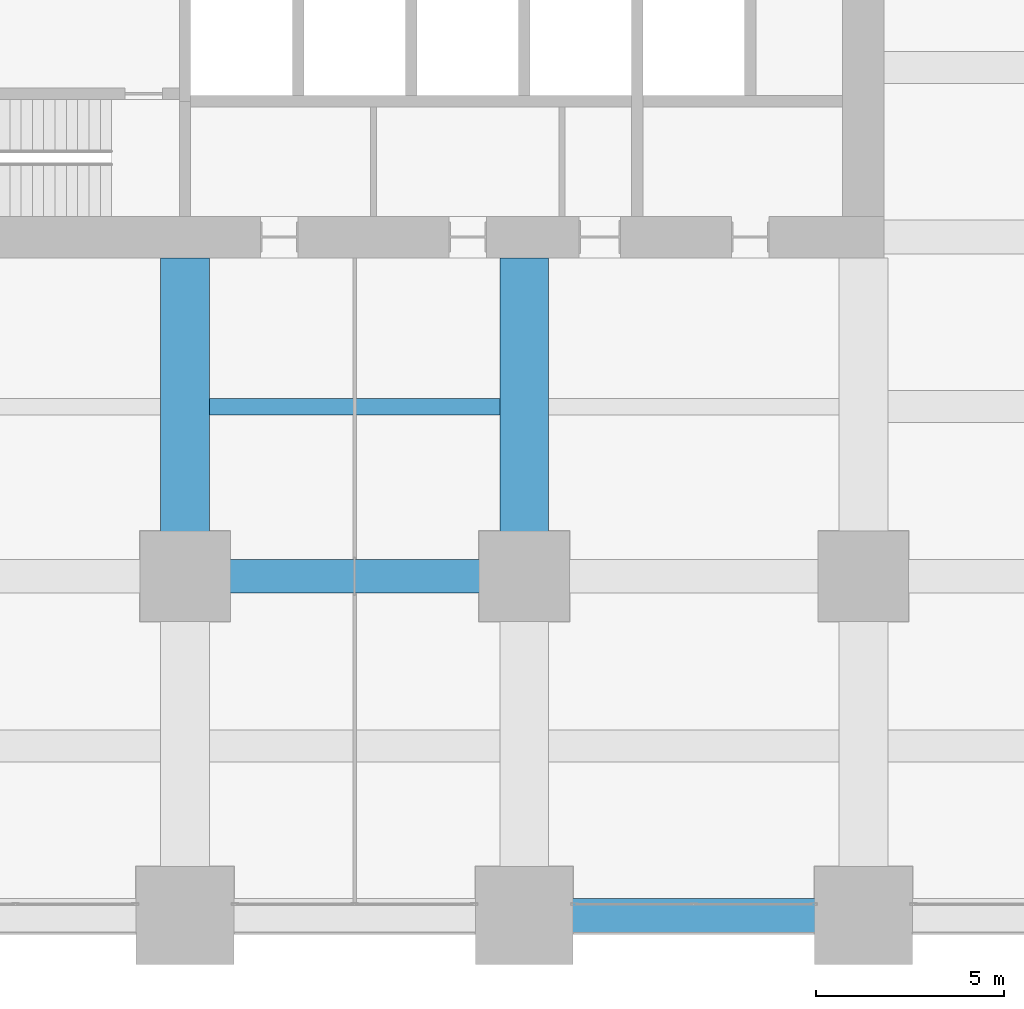
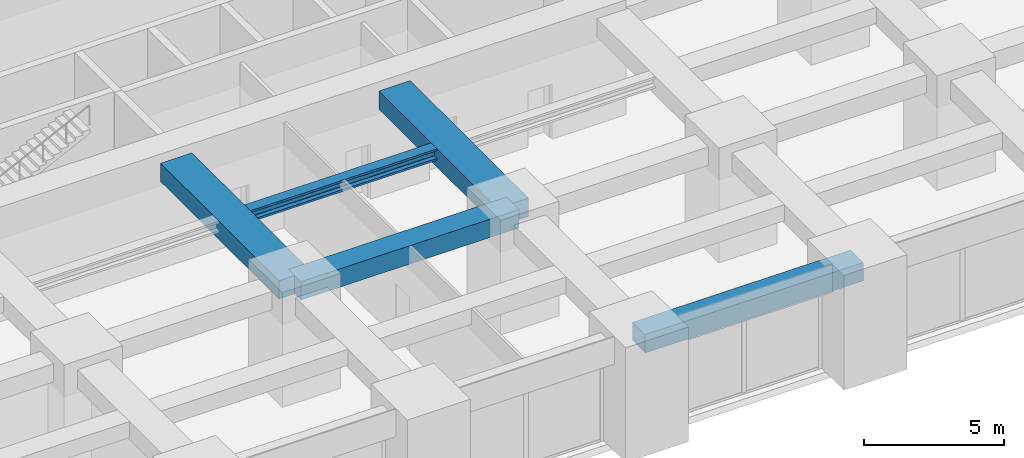
# One storey, part 14 of 46: 5 beams.
"""IFC4 building model written with IfcOpenShell, lengths in metres."""

from ifc_helpers import new_model, si_unit, direction, frame, origin, origin_2d, place, context, subcontext, project, spatial, rectangle, i_section, extrude, material, material_profile, profile_set, type_object, element, save


model = new_model("IFC4")

# Units and contexts
model_context = context("Model", 3, precision=1e-05, world=origin(), true_north=direction((0.0, 1.0)))
body_context = subcontext(model_context, "Body", "Model", "MODEL_VIEW")
ifc_project = project(units=[si_unit("LENGTHUNIT", "METRE"), si_unit("AREAUNIT", "SQUARE_METRE"), si_unit("VOLUMEUNIT", "CUBIC_METRE"), si_unit("PLANEANGLEUNIT", "RADIAN"), si_unit("MASSUNIT", "GRAM", prefix="KILO")], contexts=[model_context])

# Site, building, storey
site_placement = place(None, origin())
site = spatial("IfcSite", under=ifc_project, at=site_placement, CompositionType="ELEMENT")
building_placement = place(site_placement, origin())
building = spatial("IfcBuilding", under=site, at=building_placement, Name="Zorevar Civic Tower", CompositionType="ELEMENT")
storey_placement = place(building_placement, frame((0.0, 0.0, 10.800048828125)))
storey = spatial("IfcBuildingStorey", under=building, at=storey_placement, Name="L02", CompositionType="ELEMENT", Elevation=10.800048828125)

# Beams
ifc_material_1 = material(Name="Concrete C50/60", Category="concrete")
ifc_material_profile_1 = material_profile(ifc_material_1, rectangle(XDim=1.300048828125, YDim=0.800048828125, at=origin_2d()), Name="RC 1300x800")
ifc_profile_set_1 = profile_set([ifc_material_profile_1], Name="Concrete C50/60")
beam_type_1 = type_object("IfcBeamType", Name="Beam RC 1300x800", PredefinedType="BEAM", material=ifc_profile_set_1)
for number, where, z_axis, x_axis, name in (
    (1, (27.0, 9.0, 4.199951171875), (0.0, 1.0, 0.0), (-1.0, 0.0, 0.0), "Girder L03"),
    (2, (36.0, 9.0, 4.199951171875), (0.0, 1.0, 0.0), (-1.0, 0.0, 0.0), "Girder L03"),
):
    element("IfcBeam", number, at=place(storey_placement, frame(where, z_axis=z_axis, x_axis=x_axis)), inside=storey, type_object=beam_type_1, Name=name, PredefinedType="BEAM", context=body_context, shape_type="SweptSolid", body=[
        extrude(rectangle(XDim=1.300048828125, YDim=0.800048828125, at=origin_2d()), origin(), (0.0, 0.0, 1.0), 8.449951171875),
    ])
ifc_material_2 = material(Name="Concrete C50/60", Category="concrete")
ifc_material_profile_2 = material_profile(ifc_material_2, rectangle(XDim=0.89990234375, YDim=0.800048828125, at=origin_2d()), Name="RC 900x800")
ifc_profile_set_2 = profile_set([ifc_material_profile_2], Name="Concrete C50/60")
beam_type_2 = type_object("IfcBeamType", Name="Beam RC 900x800", PredefinedType="BEAM", material=ifc_profile_set_2)
beam_1_placement = place(storey_placement, frame((27.0, 9.0, 4.199951171875), z_axis=(1.0, 0.0, 0.0), x_axis=(0.0, 1.0, 0.0)))
element("IfcBeam", 3, at=beam_1_placement, inside=storey, type_object=beam_type_2, Name="Girder L03", PredefinedType="BEAM", context=body_context, shape_type="SweptSolid", body=[
    extrude(rectangle(XDim=0.89990234375, YDim=0.800048828125, at=origin_2d()), origin(), (0.0, 0.0, 1.0), 9.0),
])
ifc_material_3 = material(Name="Steel S460M (HISTAR 460)", Category="steel")
ifc_material_profile_3 = material_profile(ifc_material_3, i_section(OverallWidth=0.431884765625, OverallDepth=0.498046875, WebThickness=0.0556640625, FlangeThickness=0.0888671875, FilletRadius=0.014892578125, at=origin_2d()), Name="HD 400x744")
ifc_profile_set_3 = profile_set([ifc_material_profile_3], Name="Steel S460M (HISTAR 460)")
beam_type_3 = type_object("IfcBeamType", Name="Core bay beam HD 400x744", PredefinedType="BEAM", material=ifc_profile_set_3)
beam_2_placement = place(storey_placement, frame((27.64990234375, 13.5, 4.350830078125), z_axis=(1.0, 0.0, 0.0), x_axis=(0.0, 1.0, 0.0)))
element("IfcBeam", 4, at=beam_2_placement, inside=storey, type_object=beam_type_3, Name="Secondary beam L03", PredefinedType="BEAM", context=body_context, shape_type="SweptSolid", body=[
    extrude(i_section(OverallWidth=0.431884765625, OverallDepth=0.498046875, WebThickness=0.0556640625, FlangeThickness=0.0888671875, FilletRadius=0.014892578125, at=origin_2d()), origin(), (0.0, 0.0, 1.0), 7.7001953125),
])
ifc_material_4 = material(Name="Concrete C50/60", Category="concrete")
ifc_material_profile_4 = material_profile(ifc_material_4, rectangle(XDim=0.89990234375, YDim=0.800048828125, at=origin_2d()), Name="RC 900x800")
ifc_profile_set_4 = profile_set([ifc_material_profile_4], Name="Concrete C50/60")
beam_type_4 = type_object("IfcBeamType", Name="Edge beam RC 900x800", PredefinedType="SPANDREL", material=ifc_profile_set_4)
beam_3_placement = place(storey_placement, frame((36.0, 0.0, 4.199951171875), z_axis=(1.0, 0.0, 0.0), x_axis=(0.0, 1.0, 0.0)))
element("IfcBeam", 5, at=beam_3_placement, inside=storey, type_object=beam_type_4, Name="Edge beam L03", PredefinedType="SPANDREL", context=body_context, shape_type="SweptSolid", body=[
    extrude(rectangle(XDim=0.89990234375, YDim=0.800048828125, at=origin_2d()), origin(), (0.0, 0.0, 1.0), 9.0),
])

save(model, "model.ifc")
